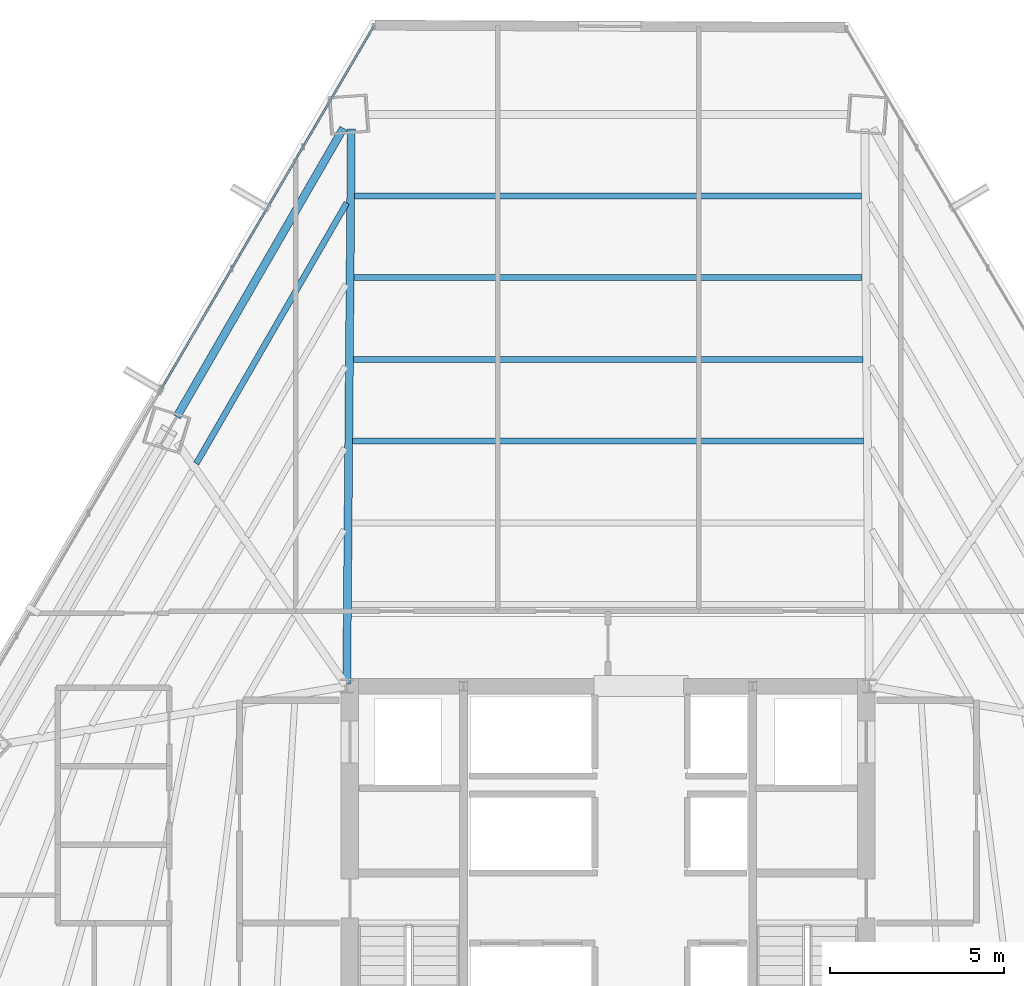
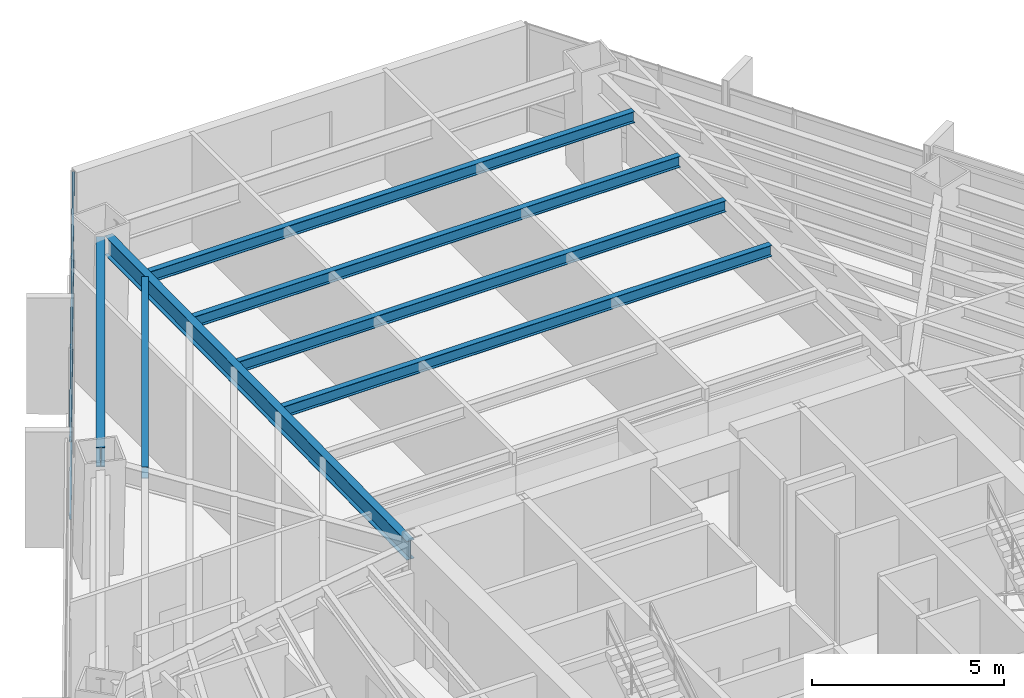
# One storey, part 25 of 37: 7 beams, 2 members, 1 element without a shape of its own.
"""IFC4 building model written with IfcOpenShell, lengths in metres."""

from ifc_helpers import new_model, si_unit, direction, frame, origin, origin_2d, place, context, subcontext, project, spatial, hollow_rectangle, i_section, extrude, source, transform, mapped, material, material_profile, profile_set, type_object, type_shapes, element, aggregate, save


model = new_model("IFC4")

# Units and contexts
model_context = context("Model", 3, precision=1e-05, world=origin(), true_north=direction((0.0, 1.0)))
body_context = subcontext(model_context, "Body", "Model", "MODEL_VIEW")
ifc_project = project(units=[si_unit("LENGTHUNIT", "METRE"), si_unit("AREAUNIT", "SQUARE_METRE"), si_unit("VOLUMEUNIT", "CUBIC_METRE"), si_unit("PLANEANGLEUNIT", "RADIAN"), si_unit("MASSUNIT", "GRAM", prefix="KILO")], contexts=[model_context])

# Site, building, storey
site_placement = place(None, origin())
site = spatial("IfcSite", under=ifc_project, at=site_placement, CompositionType="ELEMENT")
building_placement = place(site_placement, origin())
building = spatial("IfcBuilding", under=site, at=building_placement, Name="Caelisora Broadcast Tower", CompositionType="ELEMENT")
storey_placement = place(building_placement, frame((0.0, 0.0, 105.39990234375)))
storey = spatial("IfcBuildingStorey", under=building, at=storey_placement, Name="L27", CompositionType="ELEMENT", Elevation=105.39990234375)

# Beams
ifc_material_1 = material(Name="Steel Grade 350 (AS/NZS 3679.1)", Category="steel")
ifc_material_profile_1 = material_profile(ifc_material_1, i_section(OverallWidth=0.22900390625, OverallDepth=0.611572265625, WebThickness=0.011962890625, FlangeThickness=0.01953125, at=origin_2d()), Name="Steel Grade 350 (AS/NZS 3679.1)")
ifc_profile_set_1 = profile_set([ifc_material_profile_1], Name="Steel Grade 350 (AS/NZS 3679.1)")
beam_type_1 = type_object("IfcBeamType", Name="PG03", PredefinedType="BEAM", material=ifc_profile_set_1)
shared_shape_1 = source(origin(), body_context, "Body", "SweptSolid", [
    extrude(i_section(OverallWidth=0.22900390625, OverallDepth=0.611572265625, WebThickness=0.011962890625, FlangeThickness=0.01953125, at=origin_2d()), origin(), (0.0, 0.0, 1.0), 9.56591796875),
])
type_shapes(beam_type_1, [shared_shape_1])
beam_1_placement = place(storey_placement, frame((30.404052734375, 46.016845703125, 3.09423828125), z_axis=(-0.499995660965, -0.866027908913, 0.0), x_axis=(0.866027908913, -0.499995660965, 0.0)))
element("IfcBeam", 1, at=beam_1_placement, inside=storey, type_object=beam_type_1, Name="L27 beam PG03", PredefinedType="BEAM", context=body_context, shape_type="MappedRepresentation", body=[
    mapped(shared_shape_1, transform((0.0, 0.0, 0.0), scale=1.0)),
])
ifc_material_profile_2 = material_profile(ifc_material_1, i_section(OverallWidth=0.22802734375, OverallDepth=0.602294921875, WebThickness=0.010498046875, FlangeThickness=0.014892578125, at=origin_2d()), Name="Steel Grade 350 (AS/NZS 3679.1)")
ifc_profile_set_2 = profile_set([ifc_material_profile_2], Name="Steel Grade 350 (AS/NZS 3679.1)")
beam_type_2 = type_object("IfcBeamType", Name="PG04", PredefinedType="BEAM", material=ifc_profile_set_2)
shared_shape_2 = source(origin(), body_context, "Body", "SweptSolid", [
    extrude(i_section(OverallWidth=0.22802734375, OverallDepth=0.602294921875, WebThickness=0.010498046875, FlangeThickness=0.014892578125, at=origin_2d()), origin(), (0.0, 0.0, 1.0), 15.935791015625),
])
type_shapes(beam_type_2, [shared_shape_2])
beam_2_placement = place(storey_placement, frame((30.50048828125, 30.06005859375, 3.098876953125), z_axis=(0.008165682002, 0.999966660263, 0.0), x_axis=(-0.999966660263, 0.008165682002, 0.0)))
element("IfcBeam", 2, at=beam_2_placement, inside=storey, type_object=beam_type_2, Name="L27 beam PG04", PredefinedType="BEAM", context=body_context, shape_type="MappedRepresentation", body=[
    mapped(shared_shape_2, transform((0.0, 0.0, 0.0), scale=1.0)),
])
ifc_material_profile_3 = material_profile(ifc_material_1, i_section(OverallWidth=0.172119140625, OverallDepth=0.358642578125, WebThickness=0.008056640625, FlangeThickness=0.012939453125, at=origin_2d()), Name="Steel Grade 350 (AS/NZS 3679.1)")
ifc_profile_set_3 = profile_set([ifc_material_profile_3], Name="Steel Grade 350 (AS/NZS 3679.1)")
beam_type_3 = type_object("IfcBeamType", Name="SB02", PredefinedType="JOIST", material=ifc_profile_set_3)
shared_shape_3 = source(origin(), body_context, "Body", "SweptSolid", [
    extrude(i_section(OverallWidth=0.172119140625, OverallDepth=0.358642578125, WebThickness=0.008056640625, FlangeThickness=0.012939453125, at=origin_2d()), origin(), (0.0, 0.0, 1.0), 14.6630859375),
])
beam_3_placement = place(storey_placement, frame((45.33154296875, 37.03515625, 3.220703125), z_axis=(-1.0, 0.0, 0.0), x_axis=(0.0, -1.0, 0.0)))
element("IfcBeam", 3, at=beam_3_placement, inside=storey, type_object=beam_type_3, Name="L27 beam SB02", PredefinedType="JOIST", context=body_context, shape_type="MappedRepresentation", body=[
    mapped(shared_shape_3, transform((0.0, 0.0, 0.0), scale=1.0)),
])
shared_shape_4 = source(origin(), body_context, "Body", "SweptSolid", [
    extrude(i_section(OverallWidth=0.172119140625, OverallDepth=0.358642578125, WebThickness=0.008056640625, FlangeThickness=0.012939453125, at=origin_2d()), origin(), (0.0, 0.0, 1.0), 14.625),
])
beam_4_placement = place(storey_placement, frame((45.3125, 39.380126953125, 3.220703125), z_axis=(-1.0, 0.0, 0.0), x_axis=(0.0, -1.0, 0.0)))
element("IfcBeam", 4, at=beam_4_placement, inside=storey, type_object=beam_type_3, Name="L27 beam SB02", PredefinedType="JOIST", context=body_context, shape_type="MappedRepresentation", body=[
    mapped(shared_shape_4, transform((0.0, 0.0, 0.0), scale=1.0)),
])
shared_shape_5 = source(origin(), body_context, "Body", "SweptSolid", [
    extrude(i_section(OverallWidth=0.172119140625, OverallDepth=0.358642578125, WebThickness=0.008056640625, FlangeThickness=0.012939453125, at=origin_2d()), origin(), (0.0, 0.0, 1.0), 14.58642578125),
])
beam_5_placement = place(storey_placement, frame((45.293212890625, 41.72509765625, 3.220703125), z_axis=(-1.0, 0.0, 0.0), x_axis=(0.0, -1.0, 0.0)))
element("IfcBeam", 5, at=beam_5_placement, inside=storey, type_object=beam_type_3, Name="L27 beam SB02", PredefinedType="JOIST", context=body_context, shape_type="MappedRepresentation", body=[
    mapped(shared_shape_5, transform((0.0, 0.0, 0.0), scale=1.0)),
])
shared_shape_6 = source(origin(), body_context, "Body", "SweptSolid", [
    extrude(i_section(OverallWidth=0.172119140625, OverallDepth=0.358642578125, WebThickness=0.008056640625, FlangeThickness=0.012939453125, at=origin_2d()), origin(), (0.0, 0.0, 1.0), 14.54833984375),
])
beam_6_placement = place(storey_placement, frame((45.274169921875, 44.0703125, 3.220703125), z_axis=(-1.0, 0.0, 0.0), x_axis=(0.0, -1.0, 0.0)))
element("IfcBeam", 6, at=beam_6_placement, inside=storey, type_object=beam_type_3, Name="L27 beam SB02", PredefinedType="JOIST", context=body_context, shape_type="MappedRepresentation", body=[
    mapped(shared_shape_6, transform((0.0, 0.0, 0.0), scale=1.0)),
])
shared_shape_7 = source(origin(), body_context, "Body", "SweptSolid", [
    extrude(i_section(OverallWidth=0.172119140625, OverallDepth=0.358642578125, WebThickness=0.008056640625, FlangeThickness=0.012939453125, at=origin_2d()), origin(), (0.0, 0.0, 1.0), 8.636962890625),
])
type_shapes(beam_type_3, [shared_shape_3, shared_shape_4, shared_shape_5, shared_shape_6, shared_shape_7])
beam_7_placement = place(storey_placement, frame((30.500732421875, 43.87255859375, 3.220703125), z_axis=(-0.499981819847, -0.866035899846, 0.0), x_axis=(0.866035899846, -0.499981819847, 0.0)))
element("IfcBeam", 7, at=beam_7_placement, inside=storey, type_object=beam_type_3, Name="L27 beam SB02", PredefinedType="JOIST", context=body_context, shape_type="MappedRepresentation", body=[
    mapped(shared_shape_7, transform((0.0, 0.0, 0.0), scale=1.0)),
])

# Curtain wall, members
ifc_material_2 = material(Name="Unitised Aluminium and Low-E Glass Curtain Wall", Category="glass")
curtain_wall_type = type_object("IfcCurtainWallType", Name="CW-Z2", PredefinedType="NOTDEFINED", material=ifc_material_2)
curtain_wall_placement = place(storey_placement, origin())
curtain_wall = element("IfcCurtainWall", 8, at=curtain_wall_placement, inside=storey, type_object=curtain_wall_type, Name="L27 curtain wall CW-Z2", PredefinedType="NOTDEFINED")
ifc_material_3 = material(Name="Aluminium 6063-T6 Anodised Terracotta Bronze", Category="aluminium")
ifc_material_profile_4 = material_profile(ifc_material_3, hollow_rectangle(XDim=0.06005859375, YDim=0.14990234375, WallThickness=0.00341796875, at=origin_2d()), Name="Aluminium 6063-T6 Anodised Terracotta Bronze")
ifc_profile_set_4 = profile_set([ifc_material_profile_4], Name="Aluminium 6063-T6 Anodised Terracotta Bronze")
member_type = type_object("IfcMemberType", Name="CWT-02", PredefinedType="USERDEFINED", material=ifc_profile_set_4)
shared_shape_8 = source(origin(), body_context, "Body", "SweptSolid", [
    extrude(hollow_rectangle(XDim=0.06005859375, YDim=0.14990234375, WallThickness=0.00341796875, at=origin_2d()), origin(), (0.0, 0.0, 1.0), 12.037353515625),
])
type_shapes(member_type, [shared_shape_8])
member_1_placement = place(storey_placement, frame((25.181884765625, 38.543701171875, 0.85009765625), z_axis=(0.505486813356, 0.862834330288, 0.0), x_axis=(-0.862834330288, 0.505486813356, 0.0)))
member_1 = element("IfcMember", 9, at=member_1_placement, type_object=member_type, Name="L27-CW-B11 transom #1", ObjectType="TRANSOM", PredefinedType="USERDEFINED", context=body_context, shape_type="MappedRepresentation", body=[
    mapped(shared_shape_8, transform((0.0, 0.0, 0.0), scale=1.0)),
])
member_2_placement = place(storey_placement, frame((25.181884765625, 38.543701171875, 3.320068359375), z_axis=(0.505486813356, 0.862834330288, 0.0), x_axis=(-0.862834330288, 0.505486813356, 0.0)))
member_2 = element("IfcMember", 10, at=member_2_placement, type_object=member_type, Name="L27-CW-B11 transom #2", ObjectType="TRANSOM", PredefinedType="USERDEFINED", context=body_context, shape_type="MappedRepresentation", body=[
    mapped(shared_shape_8, transform((0.0, 0.0, 0.0), scale=1.0)),
])
aggregate(curtain_wall, [member_1, member_2])

save(model, "model.ifc")
